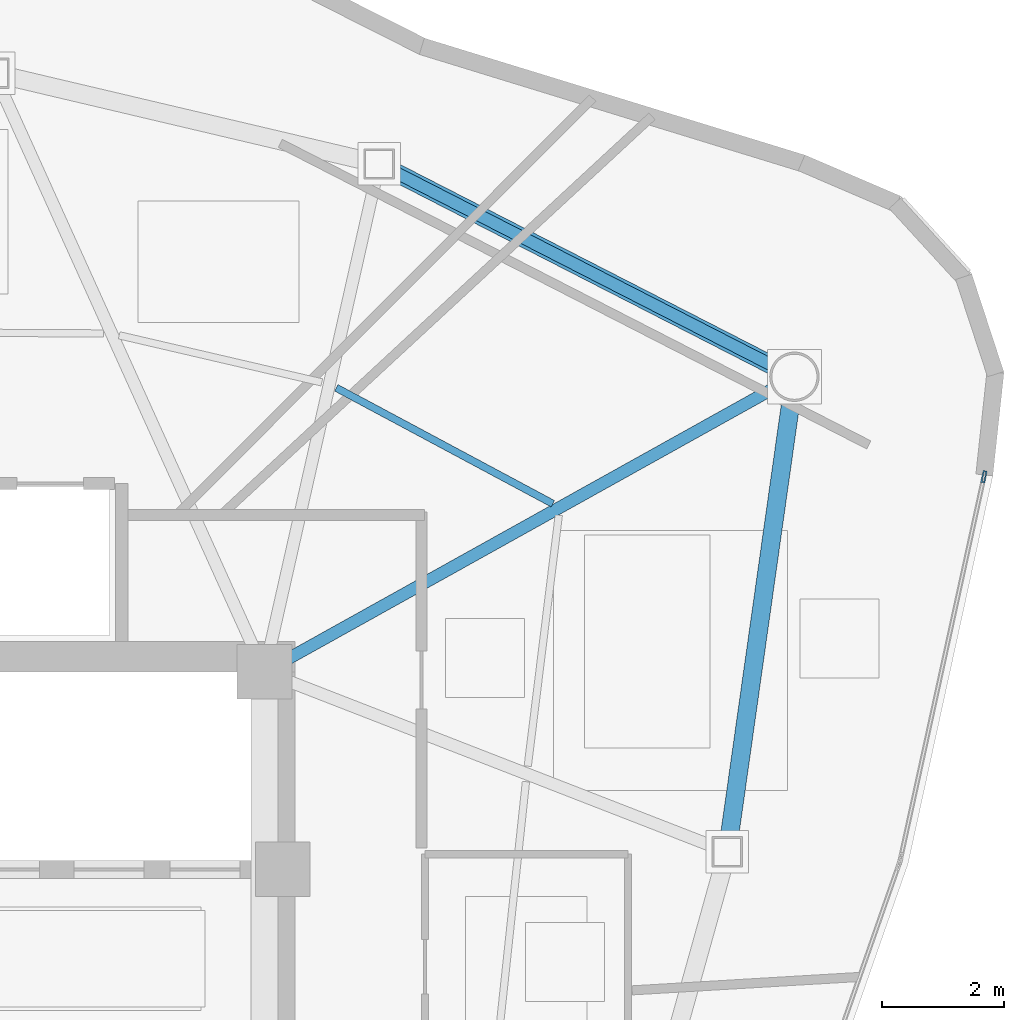
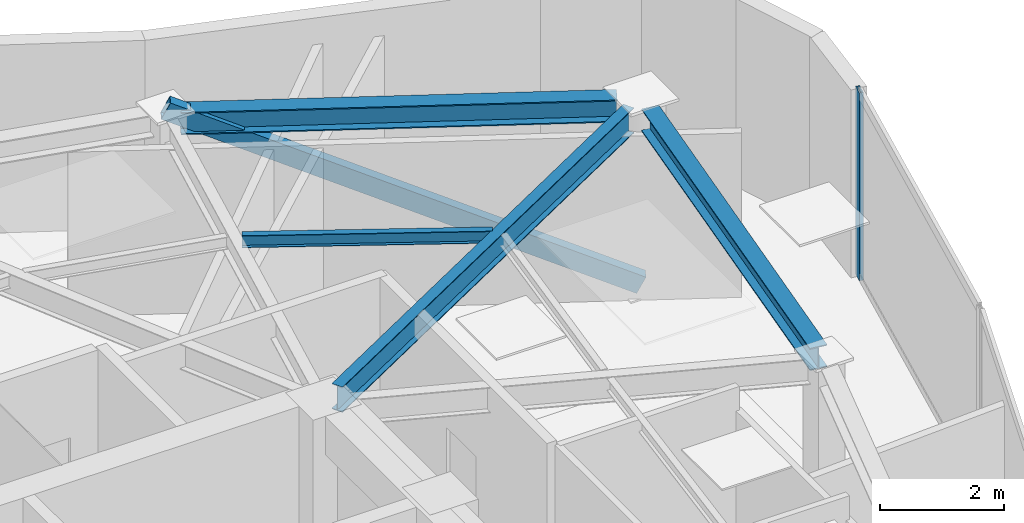
# One storey, part 6 of 13: 4 beams, 2 members, 1 element without a shape of its own.
"""IFC4 building model written with IfcOpenShell, lengths in metres."""

import ifcopenshell
import ifcopenshell.guid

model = None  # the IFC model being written
_history = None  # IfcOwnerHistory: only IFC2X3 demands one
_inside = {}  # id of a spatial element -> (the spatial element, [elements in it])
_under = {}  # id of a project, library or spatial element -> (it, [spatial elements below it])
_declared = {}  # id of a project -> (the project, [libraries it declares])
_typed = {}  # id of a type object -> (the type object, [elements of that type])
_made_of = {}  # id of a material, layer set ... -> (it, [elements and type objects made of it])


def new_model(schema):
    """Start an empty IFC model of exactly this schema.

    Asked for "IFC4X3", IfcOpenShell would pick the latest addendum, in which some entities
    have other attributes; the version numbers below select the first issue.
    IFC2X3 requires an IfcOwnerHistory on every rooted entity: one is made here for all.
    """
    global model, _history
    if schema == "IFC4X3":
        model = ifcopenshell.file(schema_version=(4, 3, 0, 0))
    else:
        model = ifcopenshell.file(schema=schema)
    _inside.clear()
    _under.clear()
    _declared.clear()
    _typed.clear()
    _made_of.clear()
    _history = None
    if model.schema == "IFC2X3":
        org = make("IfcOrganization", Name="unknown")
        user = make(
            "IfcPersonAndOrganization",
            ThePerson=make("IfcPerson", FamilyName="unknown"),
            TheOrganization=org,
        )
        app = make(
            "IfcApplication",
            ApplicationDeveloper=org,
            Version="unknown",
            ApplicationFullName="unknown",
            ApplicationIdentifier="unknown",
        )
        _history = make(
            "IfcOwnerHistory",
            OwningUser=user,
            OwningApplication=app,
            ChangeAction="ADDED",
            CreationDate=0,
        )
    return model


def make(cls, **values):
    """One entity of the class cls with the attributes given. An attribute that is None is left unset."""
    return model.create_entity(
        cls, **{name: value for name, value in values.items() if value is not None}
    )


def rooted(cls, **values):
    """An entity with a GlobalId (a new one), such as an element, a storey or a relation."""
    return make(cls, GlobalId=ifcopenshell.guid.new(), OwnerHistory=_history, **values)


def si_unit(unit_type, name, prefix=None):
    """IfcSIUnit, for example si_unit("LENGTHUNIT", "METRE", prefix="MILLI")."""
    return make("IfcSIUnit", UnitType=unit_type, Prefix=prefix, Name=name)


def assignment(units):
    """IfcUnitAssignment: the units of a project."""
    return None if units is None else make("IfcUnitAssignment", Units=units)


def point(xyz):
    """IfcCartesianPoint."""
    return None if xyz is None else make("IfcCartesianPoint", Coordinates=xyz)


def direction(xyz):
    """IfcDirection."""
    return None if xyz is None else make("IfcDirection", DirectionRatios=xyz)


def frame(location, z_axis=None, x_axis=None):
    """IfcAxis2Placement3D, a coordinate frame: its origin and axes. An axis left out is left unset."""
    return make(
        "IfcAxis2Placement3D",
        Location=point(location),
        Axis=direction(z_axis),
        RefDirection=direction(x_axis),
    )


def frame_2d(location, x_axis=None):
    """IfcAxis2Placement2D, a coordinate frame in the plane: its origin and x axis."""
    return make(
        "IfcAxis2Placement2D", Location=point(location), RefDirection=direction(x_axis)
    )


def origin():
    """The frame at (0, 0, 0) with its axes left unset."""
    return frame((0.0, 0.0, 0.0))


def origin_2d():
    """The frame at (0, 0) in the plane with its x axis left unset."""
    return frame_2d((0.0, 0.0))


def place(relative_to, where):
    """IfcLocalPlacement: puts the frame where relative to a parent placement (None: the world)."""
    return make(
        "IfcLocalPlacement", PlacementRelTo=relative_to, RelativePlacement=where
    )


def context(
    kind, dimensions, precision=None, world=None, true_north=None, identifier=None
):
    """IfcGeometricRepresentationContext, for example the 3D "Model" context."""
    return make(
        "IfcGeometricRepresentationContext",
        ContextIdentifier=identifier,
        ContextType=kind,
        CoordinateSpaceDimension=dimensions,
        Precision=precision,
        WorldCoordinateSystem=world,
        TrueNorth=true_north,
    )


def subcontext(parent, identifier, kind, view, scale=None):
    """IfcGeometricRepresentationSubContext, for example "Body" below "Model"."""
    return make(
        "IfcGeometricRepresentationSubContext",
        ContextIdentifier=identifier,
        ContextType=kind,
        ParentContext=parent,
        TargetScale=scale,
        TargetView=view,
    )


def project(units=None, contexts=None):
    """IfcProject with its units and contexts."""
    return rooted(
        "IfcProject",
        Name="project",
        RepresentationContexts=contexts,
        UnitsInContext=assignment(units),
    )


def spatial(cls, under=None, at=None, **own):
    """A site, building, storey or space (cls), placed at a placement, below another one or the project."""
    s = rooted(cls, ObjectPlacement=at, **own)
    if under is not None:
        _under.setdefault(under.id(), (under, []))[1].append(s)
    return s


def profile(cls, at=None, kind="AREA", **sizes):
    """A parametric profile (cls). Its sizes go by their IFC names, for example OverallWidth=200.0."""
    return make(cls, ProfileType=kind, Position=at, **sizes)


def hollow_rectangle(**sizes):
    """IfcRectangleHollowProfileDef."""
    return profile("IfcRectangleHollowProfileDef", **sizes)


def i_section(**sizes):
    """IfcIShapeProfileDef."""
    return profile("IfcIShapeProfileDef", **sizes)


def extrude(swept, where, along, depth):
    """IfcExtrudedAreaSolid: the profile swept, set in the frame where, extruded along a direction by depth."""
    return make(
        "IfcExtrudedAreaSolid",
        SweptArea=swept,
        Position=where,
        ExtrudedDirection=direction(along),
        Depth=depth,
    )


def shape(context_of_items, identifier, shape_type, items):
    """IfcShapeRepresentation: the items that make up one representation, for example the "Body"."""
    return make(
        "IfcShapeRepresentation",
        ContextOfItems=context_of_items,
        RepresentationIdentifier=identifier,
        RepresentationType=shape_type,
        Items=items,
    )


def source(mapping_origin, context_of_items, identifier, shape_type, items):
    """IfcRepresentationMap: a shape defined once, which mapped items show again and again."""
    return make(
        "IfcRepresentationMap",
        MappingOrigin=mapping_origin,
        MappedRepresentation=shape(context_of_items, identifier, shape_type, items),
    )


def transform(
    local_origin,
    x_axis=None,
    y_axis=None,
    z_axis=None,
    scale=None,
    scale2=None,
    scale3=None,
    uniform=True,
):
    """IfcCartesianTransformationOperator3D, or its non-uniform kind. x_axis, y_axis, z_axis: its Axis1, 2, 3."""
    if uniform:
        return make(
            "IfcCartesianTransformationOperator3D",
            Axis1=direction(x_axis),
            Axis2=direction(y_axis),
            LocalOrigin=point(local_origin),
            Scale=scale,
            Axis3=direction(z_axis),
        )
    return make(
        "IfcCartesianTransformationOperator3DnonUniform",
        Axis1=direction(x_axis),
        Axis2=direction(y_axis),
        LocalOrigin=point(local_origin),
        Scale=scale,
        Axis3=direction(z_axis),
        Scale2=scale2,
        Scale3=scale3,
    )


def mapped(mapping_source, mapping_target):
    """IfcMappedItem: shows the shape of a source again, moved by a transform."""
    return make(
        "IfcMappedItem", MappingSource=mapping_source, MappingTarget=mapping_target
    )


def material(Name=None, Category=None):
    """IfcMaterial."""
    return make("IfcMaterial", Name=Name, Category=Category)


def layer(
    of_material, thickness, ventilated=None, Name=None, Category=None, Priority=None
):
    """IfcMaterialLayer: one layer of a wall or slab, of a material (None: an air gap)."""
    return make(
        "IfcMaterialLayer",
        Material=of_material,
        LayerThickness=thickness,
        IsVentilated=ventilated,
        Name=Name,
        Category=Category,
        Priority=Priority,
    )


def layer_set(layers, Name=None):
    """IfcMaterialLayerSet."""
    return make("IfcMaterialLayerSet", MaterialLayers=layers, LayerSetName=Name)


def material_profile(
    of_material, cross_section, Name=None, Category=None, Priority=None
):
    """IfcMaterialProfile: a cross section and its material."""
    return make(
        "IfcMaterialProfile",
        Name=Name,
        Material=of_material,
        Profile=cross_section,
        Priority=Priority,
        Category=Category,
    )


def profile_set(profiles, Name=None, composite=None):
    """IfcMaterialProfileSet."""
    return make(
        "IfcMaterialProfileSet",
        Name=Name,
        MaterialProfiles=profiles,
        CompositeProfile=composite,
    )


def made_of(thing, what):
    """Note that an element or type object is made of a material, layer set ...; save() writes the relation."""
    if what is not None:
        _made_of.setdefault(what.id(), (what, []))[1].append(thing)
    return thing


def type_object(cls, material=None, **own):
    """A type object (cls), such as IfcWallType, which elements share."""
    return made_of(rooted(cls, **own), material)


def type_shapes(of_type, sources):
    """Give a type object the sources (RepresentationMaps) that its elements show as mapped items."""
    of_type.RepresentationMaps = sources


def element(
    cls,
    number,
    at=None,
    inside=None,
    cuts=None,
    type_object=None,
    material=None,
    context=None,
    identifier="Body",
    shape_type=None,
    held_by="IfcProductDefinitionShape",
    body=None,
    shapes=None,
    **own,
):
    """One element of the class cls, such as IfcWall. Its Tag is "e" and its number.

    at: its placement. inside: the storey or other place that contains it. cuts: it is an
    opening in that element (IfcRelVoidsElement). A single representation is given by context,
    identifier, shape_type and body (its items); several are given by shapes. held_by: the class
    of the entity that holds the representations. save() writes the other relations.
    """
    e = rooted(cls, Tag="e%d" % number, ObjectPlacement=at, **own)
    if body is not None:
        shapes = [shape(context, identifier, shape_type, body)]
    if shapes is not None:
        e.Representation = make(held_by, Representations=shapes)
    if inside is not None:
        _inside.setdefault(inside.id(), (inside, []))[1].append(e)
    if cuts is not None:
        rooted(
            "IfcRelVoidsElement", RelatingBuildingElement=cuts, RelatedOpeningElement=e
        )
    if type_object is not None:
        _typed.setdefault(type_object.id(), (type_object, []))[1].append(e)
    return made_of(e, material)


def aggregate(whole, parts):
    """IfcRelAggregates: a whole, such as a stair, and the parts it consists of."""
    return rooted("IfcRelAggregates", RelatingObject=whole, RelatedObjects=parts)


def save(model, path):
    """Write the relations noted so far, then the file.

    IfcRelAggregates (storeys below a building ...), IfcRelContainedInSpatialStructure (elements
    in a storey), IfcRelDefinesByType, IfcRelAssociatesMaterial and IfcRelDeclares: one each for
    every whole, place, type object, material and project.
    """
    for whole, parts in _under.values():
        aggregate(whole, parts)
    for where, things in _inside.values():
        rooted(
            "IfcRelContainedInSpatialStructure",
            RelatedElements=things,
            RelatingStructure=where,
        )
    for kind, things in _typed.values():
        rooted("IfcRelDefinesByType", RelatedObjects=things, RelatingType=kind)
    for what, things in _made_of.values():
        rooted("IfcRelAssociatesMaterial", RelatedObjects=things, RelatingMaterial=what)
    for by, libraries in _declared.values():
        rooted("IfcRelDeclares", RelatingContext=by, RelatedDefinitions=libraries)
    model.write(path)


model = new_model("IFC4")

# Units and contexts
model_context = context("Model", 3, precision=1e-05, world=origin(), true_north=direction((0.0, 1.0)))
body_context = subcontext(model_context, "Body", "Model", "MODEL_VIEW")
ifc_project = project(units=[si_unit("LENGTHUNIT", "METRE"), si_unit("AREAUNIT", "SQUARE_METRE"), si_unit("VOLUMEUNIT", "CUBIC_METRE"), si_unit("PLANEANGLEUNIT", "RADIAN"), si_unit("MASSUNIT", "GRAM", prefix="KILO")], contexts=[model_context])

# Site, building, storey
site_placement = place(None, origin())
site = spatial("IfcSite", under=ifc_project, at=site_placement, CompositionType="ELEMENT")
building_placement = place(site_placement, origin())
building = spatial("IfcBuilding", under=site, at=building_placement, Name="Tavelor Broadcast Tower", CompositionType="ELEMENT")
storey_placement = place(building_placement, frame((0.0, 0.0, 297.5)))
storey = spatial("IfcBuildingStorey", under=building, at=storey_placement, Name="L71", CompositionType="ELEMENT", Elevation=297.5)

# Beams
ifc_material_1 = material(Name="Steel S355", Category="steel")
ifc_material_profile_1 = material_profile(ifc_material_1, i_section(OverallWidth=0.1201171875, OverallDepth=0.239990234375, WebThickness=0.006103515625, FlangeThickness=0.009765625, at=origin_2d()), Name="IPE 240")
ifc_profile_set_1 = profile_set([ifc_material_profile_1], Name="Steel S355")
beam_type_1 = type_object("IfcBeamType", Name="Composite Floor Joist T7 IPE 240", PredefinedType="JOIST", material=ifc_profile_set_1)
beam_1_placement = place(storey_placement, frame((61.344482421875, 53.96630859375, 3.580078125), z_axis=(-0.881609274303, 0.471979965108, 0.0), x_axis=(-0.471979965108, -0.881609274303, 0.0)))
element("IfcBeam", 1, at=beam_1_placement, inside=storey, type_object=beam_type_1, Name="L71 Secondary Composite Floor Joist 13", PredefinedType="JOIST", context=body_context, shape_type="SweptSolid", body=[
    extrude(i_section(OverallWidth=0.1201171875, OverallDepth=0.239990234375, WebThickness=0.006103515625, FlangeThickness=0.009765625, at=origin_2d()), origin(), (0.0, 0.0, 1.0), 4.041015625),
])
ifc_material_profile_2 = material_profile(ifc_material_1, i_section(OverallWidth=0.300048828125, OverallDepth=0.43994140625, WebThickness=0.011474609375, FlangeThickness=0.02099609375, at=origin_2d()), Name="HEA 450")
ifc_profile_set_2 = profile_set([ifc_material_profile_2], Name="Steel S355")
beam_type_2 = type_object("IfcBeamType", Name="Perimeter Spandrel Beam T7 HEA 450", PredefinedType="SPANDREL", material=ifc_profile_set_2)
beam_2_placement = place(storey_placement, frame((64.248046875, 48.47509765625, 3.47998046875), z_axis=(0.139953453654, 0.990158083747, 0.0), x_axis=(-0.990158083747, 0.139953453654, 0.0)))
element("IfcBeam", 2, at=beam_2_placement, inside=storey, type_object=beam_type_2, Name="L71 Framed-Tube Ring Spandrel 12", PredefinedType="SPANDREL", context=body_context, shape_type="SweptSolid", body=[
    extrude(i_section(OverallWidth=0.300048828125, OverallDepth=0.43994140625, WebThickness=0.011474609375, FlangeThickness=0.02099609375, at=origin_2d()), origin(), (0.0, 0.0, 1.0), 7.265625),
])
beam_3_placement = place(storey_placement, frame((64.97216796875, 56.2333984375, 3.47998046875), z_axis=(-0.889963826526, 0.456031125556, 0.0), x_axis=(-0.456031125556, -0.889963826526, 0.0)))
element("IfcBeam", 3, at=beam_3_placement, inside=storey, type_object=beam_type_2, Name="L71 Framed-Tube Ring Spandrel 13", PredefinedType="SPANDREL", context=body_context, shape_type="SweptSolid", body=[
    extrude(i_section(OverallWidth=0.300048828125, OverallDepth=0.43994140625, WebThickness=0.011474609375, FlangeThickness=0.02099609375, at=origin_2d()), origin(), (0.0, 0.0, 1.0), 7.048583984375),
])

# Member
ifc_material_profile_3 = material_profile(ifc_material_1, hollow_rectangle(XDim=0.199951171875, YDim=0.35009765625, WallThickness=0.01611328125, at=origin_2d()), Name="RHS 350x200x16")
ifc_profile_set_3 = profile_set([ifc_material_profile_3], Name="Steel S355")
member_type_1 = type_object("IfcMemberType", Name="Perimeter Tube Brace T7 RHS 350x200x16", PredefinedType="BRACE", material=ifc_profile_set_3)
member_1_placement = place(storey_placement, frame((65.319580078125, 56.0556640625, 0.0), z_axis=(-0.801763897696, 0.410792291396, 0.434078732123), x_axis=(-0.455992584505, -0.889983574498, 0.0)))
element("IfcMember", 4, at=member_1_placement, inside=storey, type_object=member_type_1, Name="L71 Corner Tube Diagonal Brace 3", PredefinedType="BRACE", context=body_context, shape_type="SweptSolid", body=[
    extrude(hollow_rectangle(XDim=0.199951171875, YDim=0.35009765625, WallThickness=0.01611328125, at=origin_2d()), origin(), (0.0, 0.0, 1.0), 8.523681640625),
])

# Beam
ifc_material_profile_4 = material_profile(ifc_material_1, i_section(OverallWidth=0.199951171875, OverallDepth=0.5, WebThickness=0.01025390625, FlangeThickness=0.01611328125, at=origin_2d()), Name="IPE 500")
ifc_profile_set_4 = profile_set([ifc_material_profile_4], Name="Steel S355")
beam_type_3 = type_object("IfcBeamType", Name="Radial Floor Girder T7 IPE 500", PredefinedType="BEAM", material=ifc_profile_set_4)
beam_4_placement = place(storey_placement, frame((56.977294921875, 51.41015625, 3.449951171875), z_axis=(0.873672716844, 0.486514114741, 0.0), x_axis=(-0.486514114741, 0.873672716844, 0.0)))
element("IfcBeam", 5, at=beam_4_placement, inside=storey, type_object=beam_type_3, Name="L71 Radial Primary Floor Girder 13", PredefinedType="BEAM", context=body_context, shape_type="SweptSolid", body=[
    extrude(i_section(OverallWidth=0.199951171875, OverallDepth=0.5, WebThickness=0.01025390625, FlangeThickness=0.01611328125, at=origin_2d()), origin(), (0.0, 0.0, 1.0), 9.158203125),
])

# Curtain wall, member
ifc_material_2 = material(Name="Architectural Anodized Aluminium", Category="aluminium")
ifc_layer = layer(ifc_material_2, 0.199951171875)
ifc_layer_set = layer_set([ifc_layer], Name="Architectural Anodized Aluminium")
curtain_wall_type = type_object("IfcCurtainWallType", Name="Tower High-Zone Triple-Glazed Curtain Wall CW04", PredefinedType="NOTDEFINED", material=ifc_layer_set)
curtain_wall_placement = place(storey_placement, origin())
curtain_wall = element("IfcCurtainWall", 6, at=curtain_wall_placement, inside=storey, type_object=curtain_wall_type, Name="L71 Curtain Wall CW04 Run 788", PredefinedType="NOTDEFINED")
ifc_material_profile_5 = material_profile(ifc_material_2, hollow_rectangle(XDim=0.070068359375, YDim=0.199951171875, WallThickness=0.02197265625, at=origin_2d()), Name="RHS 70x200x22")
ifc_profile_set_5 = profile_set([ifc_material_profile_5], Name="Architectural Anodized Aluminium")
member_type_2 = type_object("IfcMemberType", Name="CW04 Extruded Aluminium Mullion 70x200", PredefinedType="MULLION", material=ifc_profile_set_5)
shared_shape = source(origin(), body_context, "Body", "SweptSolid", [
    extrude(hollow_rectangle(XDim=0.070068359375, YDim=0.199951171875, WallThickness=0.02197265625, at=origin_2d()), origin(), (0.0, 0.0, 1.0), 3.699951171875),
])
type_shapes(member_type_2, [shared_shape])
member_2_placement = place(storey_placement, frame((68.438232421875, 54.410400390625, 0.0), z_axis=(0.0, 0.0, 1.0), x_axis=(-0.976959394551, 0.213425259512, 0.0)))
member_2 = element("IfcMember", 7, at=member_2_placement, type_object=member_type_2, Name="CW04 mullion 2", PredefinedType="MULLION", context=body_context, shape_type="MappedRepresentation", body=[
    mapped(shared_shape, transform((0.0, 0.0, 0.0), scale=1.0)),
])
aggregate(curtain_wall, [member_2])

save(model, "model.ifc")
